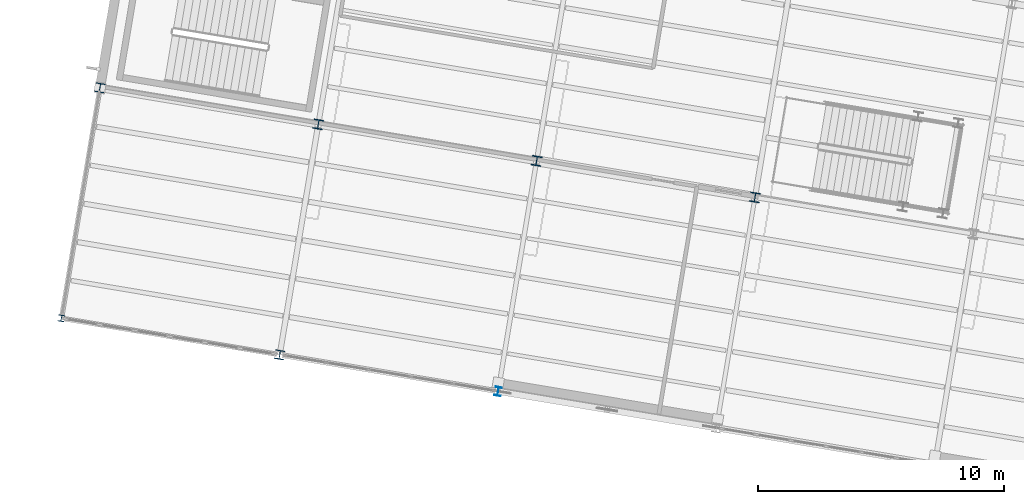
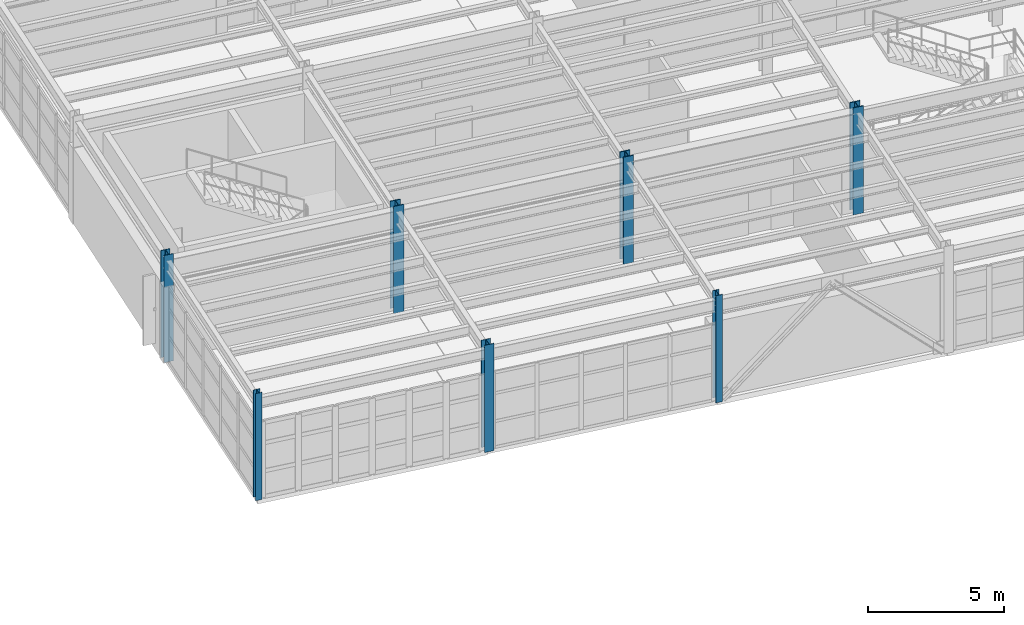
# One storey, part 11 of 109: 7 columns.
"""IFC4 building model written with IfcOpenShell, lengths in metres."""

from ifc_helpers import new_model, si_unit, direction, frame, origin, origin_2d, place, context, subcontext, project, spatial, i_section, extrude, material, material_profile, profile_set, type_object, element, save


model = new_model("IFC4")

# Units and contexts
model_context = context("Model", 3, precision=1e-05, world=origin(), true_north=direction((0.0, 1.0)))
body_context = subcontext(model_context, "Body", "Model", "MODEL_VIEW")
ifc_project = project(units=[si_unit("LENGTHUNIT", "METRE"), si_unit("AREAUNIT", "SQUARE_METRE"), si_unit("VOLUMEUNIT", "CUBIC_METRE"), si_unit("PLANEANGLEUNIT", "RADIAN"), si_unit("MASSUNIT", "GRAM", prefix="KILO")], contexts=[model_context])

# Site, building, storey
site_placement = place(None, origin())
site = spatial("IfcSite", under=ifc_project, at=site_placement, CompositionType="ELEMENT")
building_placement = place(site_placement, origin())
building = spatial("IfcBuilding", under=site, at=building_placement, Name="Vireo Bluff Cable Station", CompositionType="ELEMENT")
storey_placement = place(building_placement, frame((0.0, 0.0, 4.800048828125)))
storey = spatial("IfcBuildingStorey", under=building, at=storey_placement, Name="L01", CompositionType="ELEMENT", Elevation=4.800048828125)

# Columns
ifc_material = material(Name="Steel ASTM A992 Gr. 50", Category="steel")
ifc_material_profile_1 = material_profile(ifc_material, i_section(OverallWidth=0.39892578125, OverallDepth=0.385986328125, WebThickness=0.02099609375, FlangeThickness=0.033203125, FilletRadius=0.014892578125, at=origin_2d()), Name="W14X176")
ifc_profile_set_1 = profile_set([ifc_material_profile_1], Name="Steel ASTM A992 Gr. 50")
column_type_1 = type_object("IfcColumnType", Name="COL-W14X176", PredefinedType="COLUMN", material=ifc_profile_set_1)
for number, where, z_axis, x_axis, name in (
    (1, (15.944580078125, 79.38427734375, 0.0), (0.0, 0.0, 1.0), (0.986285601537, -0.165047605861, 0.0), "V4 L01 column 265"),
    (2, (33.69775390625, 76.413330078125, 0.0), (0.0, 0.0, 1.0), (0.986285601537, -0.165047605861, 0.0), "V4 L01 column 295"),
):
    element("IfcColumn", number, at=place(storey_placement, frame(where, z_axis=z_axis, x_axis=x_axis)), inside=storey, type_object=column_type_1, Name=name, PredefinedType="COLUMN", context=body_context, shape_type="SweptSolid", body=[
        extrude(i_section(OverallWidth=0.39892578125, OverallDepth=0.385986328125, WebThickness=0.02099609375, FlangeThickness=0.033203125, FilletRadius=0.014892578125, at=origin_2d()), origin(), (0.0, 0.0, 1.0), 4.800048828125),
    ])
ifc_material_profile_2 = material_profile(ifc_material, i_section(OverallWidth=0.40087890625, OverallDepth=0.39404296875, WebThickness=0.022705078125, FlangeThickness=0.03662109375, FilletRadius=0.014892578125, at=origin_2d()), Name="W14X193")
ifc_profile_set_2 = profile_set([ifc_material_profile_2], Name="Steel ASTM A992 Gr. 50")
column_type_2 = type_object("IfcColumnType", Name="COL-W14X193", PredefinedType="COLUMN", material=ifc_profile_set_2)
column_1_placement = place(storey_placement, frame((24.821044921875, 77.89892578125, 0.0), z_axis=(0.0, 0.0, 1.0), x_axis=(0.986285601537, -0.165047605861, 0.0)))
element("IfcColumn", 3, at=column_1_placement, inside=storey, type_object=column_type_2, Name="V4 L01 column 280", PredefinedType="COLUMN", context=body_context, shape_type="SweptSolid", body=[
    extrude(i_section(OverallWidth=0.40087890625, OverallDepth=0.39404296875, WebThickness=0.022705078125, FlangeThickness=0.03662109375, FilletRadius=0.014892578125, at=origin_2d()), origin(), (0.0, 0.0, 1.0), 4.800048828125),
])
ifc_material_profile_3 = material_profile(ifc_material, i_section(OverallWidth=0.257080078125, OverallDepth=0.363037109375, WebThickness=0.012939453125, FlangeThickness=0.021728515625, FilletRadius=0.014892578125, at=origin_2d()), Name="W14X82")
ifc_profile_set_3 = profile_set([ifc_material_profile_3], Name="Steel ASTM A992 Gr. 50")
column_type_3 = type_object("IfcColumnType", Name="ECOL-W14X82", PredefinedType="COLUMN", material=ifc_profile_set_3)
column_2_placement = place(storey_placement, frame((23.253173828125, 68.529052734375, 0.0), z_axis=(0.0, 0.0, 1.0), x_axis=(0.986285601537, -0.165047605861, 0.0)))
element("IfcColumn", 4, at=column_2_placement, inside=storey, type_object=column_type_3, Name="V4 L01 column 277", PredefinedType="COLUMN", context=body_context, shape_type="SweptSolid", body=[
    extrude(i_section(OverallWidth=0.257080078125, OverallDepth=0.363037109375, WebThickness=0.012939453125, FlangeThickness=0.021728515625, FilletRadius=0.014892578125, at=origin_2d()), origin(), (0.0, 0.0, 1.0), 4.800048828125),
])
ifc_material_profile_4 = material_profile(ifc_material, i_section(OverallWidth=0.3701171875, OverallDepth=0.360107421875, WebThickness=0.01220703125, FlangeThickness=0.019775390625, FilletRadius=0.014892578125, at=origin_2d()), Name="W14X99")
ifc_profile_set_4 = profile_set([ifc_material_profile_4], Name="Steel ASTM A992 Gr. 50")
column_type_4 = type_object("IfcColumnType", Name="ECOL-W14X99", PredefinedType="COLUMN", material=ifc_profile_set_4)
for number, where, z_axis, x_axis, name in (
    (5, (7.06787109375, 80.86962890625, 0.0), (0.0, 0.0, 1.0), (0.986285601537, -0.165047605861, 0.0), "V4 L01 column 250"),
    (6, (14.37646484375, 70.0146484375, 0.0), (0.0, 0.0, 1.0), (0.986285601537, -0.165047605861, 0.0), "V4 L01 column 262"),
):
    element("IfcColumn", number, at=place(storey_placement, frame(where, z_axis=z_axis, x_axis=x_axis)), inside=storey, type_object=column_type_4, Name=name, PredefinedType="COLUMN", context=body_context, shape_type="SweptSolid", body=[
        extrude(i_section(OverallWidth=0.3701171875, OverallDepth=0.360107421875, WebThickness=0.01220703125, FlangeThickness=0.019775390625, FilletRadius=0.014892578125, at=origin_2d()), origin(), (0.0, 0.0, 1.0), 4.800048828125),
    ])
ifc_material_profile_5 = material_profile(ifc_material, i_section(OverallWidth=0.2548828125, OverallDepth=0.256103515625, WebThickness=0.009521484375, FlangeThickness=0.015625, FilletRadius=0.009033203125, at=origin_2d()), Name="W10X54")
ifc_profile_set_5 = profile_set([ifc_material_profile_5], Name="Steel ASTM A992 Gr. 50")
column_type_5 = type_object("IfcColumnType", Name="PIL-W10X54", PredefinedType="PILASTER", material=ifc_profile_set_5)
column_3_placement = place(storey_placement, frame((5.5, 71.5, 0.0), z_axis=(0.0, 0.0, 1.0), x_axis=(0.986285601537, -0.165047605861, 0.0)))
element("IfcColumn", 7, at=column_3_placement, inside=storey, type_object=column_type_5, Name="V4 L01 column 247", PredefinedType="PILASTER", context=body_context, shape_type="SweptSolid", body=[
    extrude(i_section(OverallWidth=0.2548828125, OverallDepth=0.256103515625, WebThickness=0.009521484375, FlangeThickness=0.015625, FilletRadius=0.009033203125, at=origin_2d()), origin(), (0.0, 0.0, 1.0), 4.800048828125),
])

save(model, "model.ifc")
